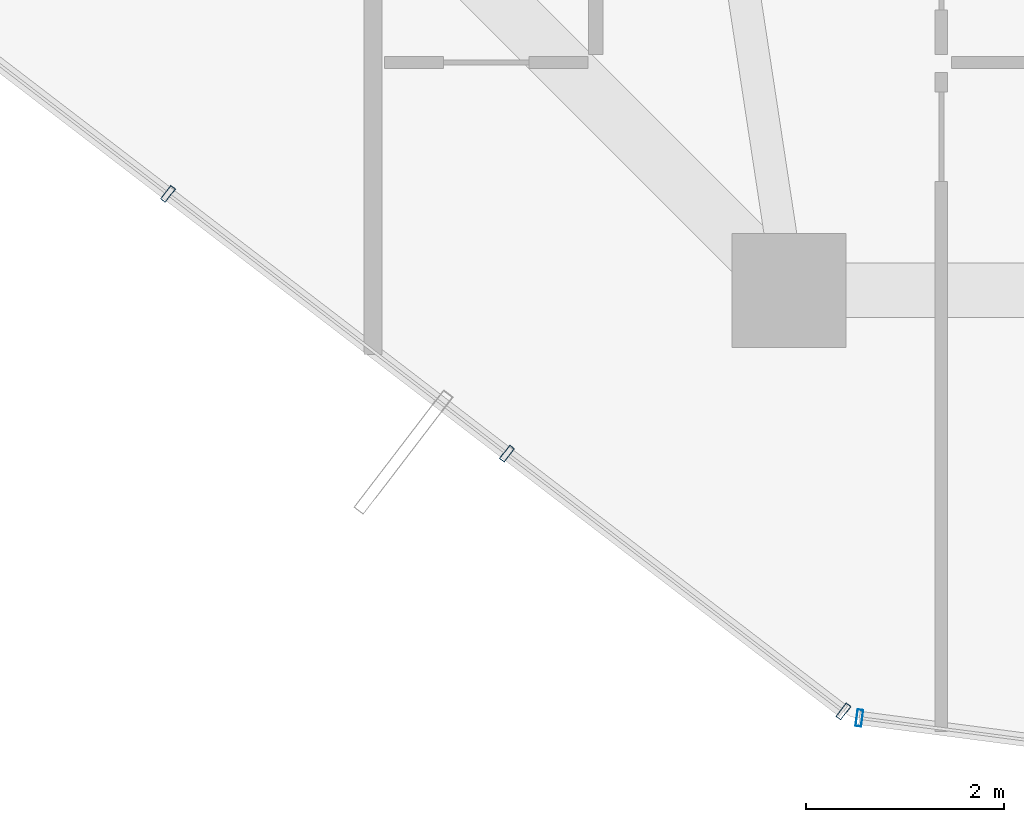
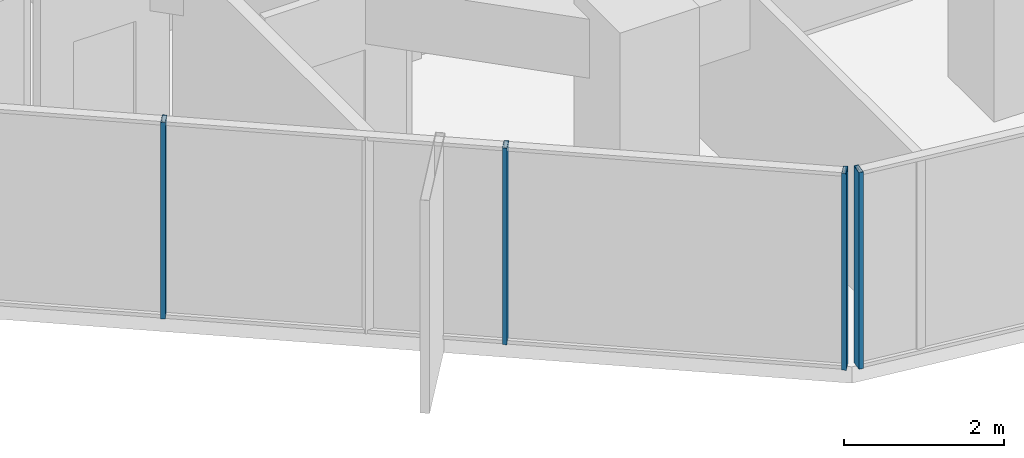
# One storey, part 2 of 30: 4 members, 2 elements without a shape of their own.
"""IFC4 building model written with IfcOpenShell, lengths in metres."""

from ifc_helpers import new_model, si_unit, direction, frame, origin, origin_2d, place, context, subcontext, project, spatial, hollow_rectangle, extrude, source, transform, mapped, material, layer, layer_set, material_profile, profile_set, type_object, element, aggregate, save


model = new_model("IFC4")

# Units and contexts
model_context = context("Model", 3, precision=1e-05, world=origin(), true_north=direction((0.0, 1.0)))
body_context = subcontext(model_context, "Body", "Model", "MODEL_VIEW")
ifc_project = project(units=[si_unit("LENGTHUNIT", "METRE"), si_unit("AREAUNIT", "SQUARE_METRE"), si_unit("VOLUMEUNIT", "CUBIC_METRE"), si_unit("PLANEANGLEUNIT", "RADIAN"), si_unit("MASSUNIT", "GRAM", prefix="KILO")], contexts=[model_context])

# Site, building, storey
site_placement = place(None, origin())
site = spatial("IfcSite", under=ifc_project, at=site_placement, CompositionType="ELEMENT")
building_placement = place(site_placement, origin())
building = spatial("IfcBuilding", under=site, at=building_placement, Name="Veraguas Prism Commons", CompositionType="ELEMENT")
storey_placement = place(building_placement, frame((0.0, 0.0, 102.449951171875)))
storey = spatial("IfcBuildingStorey", under=building, at=storey_placement, Name="L28", CompositionType="ELEMENT", Elevation=102.449951171875)

# Curtain wall, members
ifc_material = material(Name="Anodised aluminium EN AW-6063 T6", Category="aluminium")
ifc_layer = layer(ifc_material, 0.169921875, Name="Unitised Flush Curtain Wall Zone 2", Category="aluminium")
ifc_layer_set = layer_set([ifc_layer], Name="Anodised aluminium EN AW-6063 T6")
curtain_wall_type = type_object("IfcCurtainWallType", Name="Unitised Flush Curtain Wall Zone 2", PredefinedType="NOTDEFINED", material=ifc_layer_set)
curtain_wall_1_placement = place(storey_placement, origin())
curtain_wall_1 = element("IfcCurtainWall", 1, at=curtain_wall_1_placement, inside=storey, type_object=curtain_wall_type, Name="Tower Facade Curtain Wall L28-F4", PredefinedType="NOTDEFINED")
ifc_material_profile = material_profile(ifc_material, hollow_rectangle(XDim=0.06005859375, YDim=0.169921875, WallThickness=0.00390625, at=origin_2d()), Name="AL60X170X4")
ifc_profile_set = profile_set([ifc_material_profile], Name="Anodised aluminium EN AW-6063 T6")
member_type = type_object("IfcMemberType", Name="Curtain Wall Mullion Lower AL 60x170x4", PredefinedType="MULLION", material=ifc_profile_set)
shared_shape = source(origin(), body_context, "Body", "SweptSolid", [
    extrude(hollow_rectangle(XDim=0.06005859375, YDim=0.169921875, WallThickness=0.00390625, at=origin_2d()), origin(), (0.0, 0.0, 1.0), 3.0),
])
member_1_placement = place(storey_placement, frame((12.3330078125, 8.7734375, 0.0), z_axis=(0.0, 0.0, 1.0), x_axis=(0.793778142573, -0.608207415585, 0.0)))
member_1 = element("IfcMember", 2, at=member_1_placement, type_object=member_type, Name="CW-Z2 Mullion 3", PredefinedType="MULLION", context=body_context, shape_type="MappedRepresentation", body=[
    mapped(shared_shape, transform((0.0, 0.0, 0.0), scale=1.0)),
])
member_2_placement = place(storey_placement, frame((15.753173828125, 6.15283203125, 0.0), z_axis=(0.0, 0.0, 1.0), x_axis=(0.793778142573, -0.608207415585, 0.0)))
member_2 = element("IfcMember", 3, at=member_2_placement, type_object=member_type, Name="CW-Z2 Mullion 4", PredefinedType="MULLION", context=body_context, shape_type="MappedRepresentation", body=[
    mapped(shared_shape, transform((0.0, 0.0, 0.0), scale=1.0)),
])
member_3_placement = place(storey_placement, frame((19.1494140625, 3.550537109375, 0.0), z_axis=(0.0, 0.0, 1.0), x_axis=(0.793778142573, -0.608207415585, 0.0)))
member_3 = element("IfcMember", 4, at=member_3_placement, type_object=member_type, Name="CW-Z2 Mullion 5", PredefinedType="MULLION", context=body_context, shape_type="MappedRepresentation", body=[
    mapped(shared_shape, transform((0.0, 0.0, 0.0), scale=1.0)),
])
aggregate(curtain_wall_1, [member_1, member_2, member_3])

# Curtain wall, member
curtain_wall_2_placement = place(storey_placement, origin())
curtain_wall_2 = element("IfcCurtainWall", 5, at=curtain_wall_2_placement, inside=storey, type_object=curtain_wall_type, Name="Chamfer Curtain Wall L28-C5", PredefinedType="NOTDEFINED")
member_4_placement = place(storey_placement, frame((19.31005859375, 3.484130859375, 0.0), z_axis=(0.0, 0.0, 1.0), x_axis=(0.991536877208, -0.129825348594, 0.0)))
member_4 = element("IfcMember", 6, at=member_4_placement, type_object=member_type, Name="CW-Z2 Mullion 1", PredefinedType="MULLION", context=body_context, shape_type="MappedRepresentation", body=[
    mapped(shared_shape, transform((0.0, 0.0, 0.0), scale=1.0)),
])
aggregate(curtain_wall_2, [member_4])

save(model, "model.ifc")
